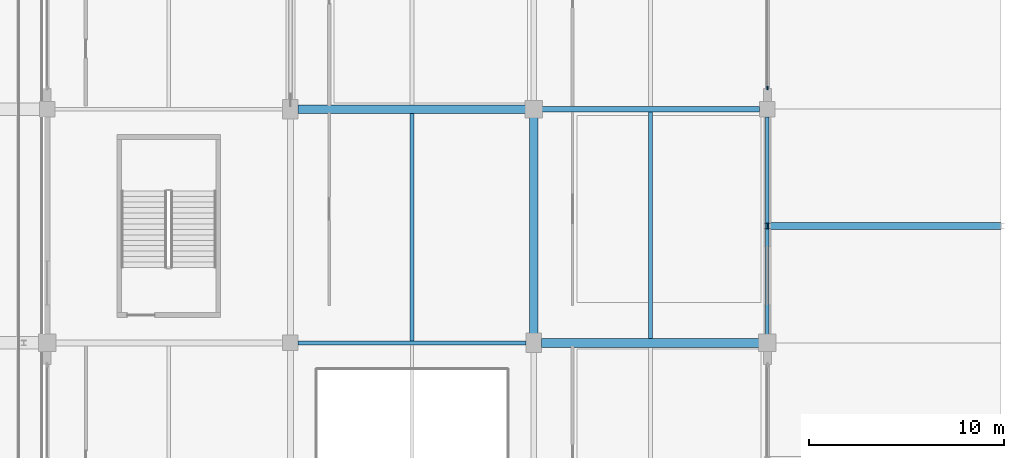
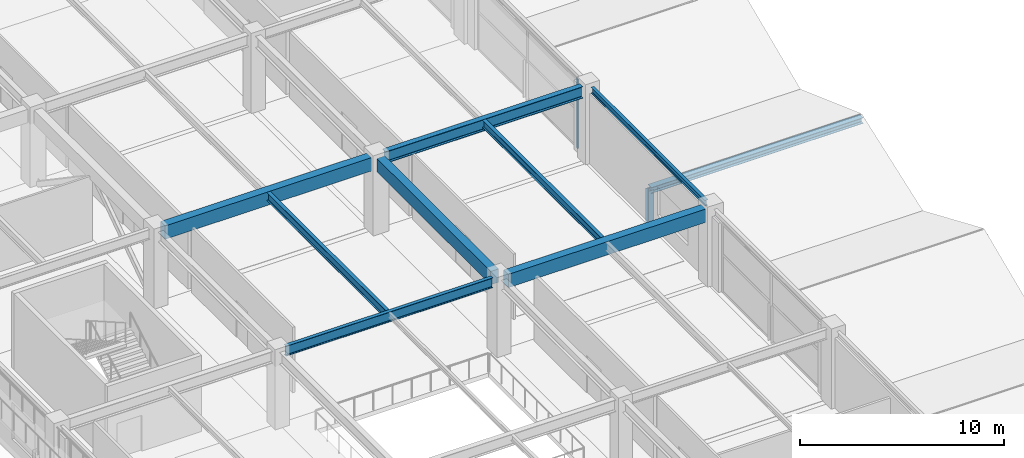
# One storey, part 48 of 134: 8 beams, 3 members, 1 element without a shape of its own.
"""IFC4 building model written with IfcOpenShell, lengths in metres."""

from ifc_helpers import new_model, si_unit, direction, frame, origin, origin_2d, place, context, subcontext, project, spatial, rectangle, i_section, extrude, material, layer, layer_set, material_profile, profile_set, type_object, element, aggregate, save


model = new_model("IFC4")

# Units and contexts
model_context = context("Model", 3, precision=1e-05, world=origin(), true_north=direction((0.0, 1.0)))
body_context = subcontext(model_context, "Body", "Model", "MODEL_VIEW")
ifc_project = project(units=[si_unit("LENGTHUNIT", "METRE"), si_unit("AREAUNIT", "SQUARE_METRE"), si_unit("VOLUMEUNIT", "CUBIC_METRE"), si_unit("PLANEANGLEUNIT", "RADIAN"), si_unit("MASSUNIT", "GRAM", prefix="KILO")], contexts=[model_context])

# Site, building, storey
site_placement = place(None, origin())
site = spatial("IfcSite", under=ifc_project, at=site_placement, CompositionType="ELEMENT")
building_placement = place(site_placement, origin())
building = spatial("IfcBuilding", under=site, at=building_placement, Name="Kazenohara Klinker Stadium", CompositionType="ELEMENT")
storey_placement = place(building_placement, frame((0.0, 0.0, 5.39990234375)))
storey = spatial("IfcBuildingStorey", under=building, at=storey_placement, Name="L01", CompositionType="ELEMENT", Elevation=5.39990234375)

# Beams
ifc_material_1 = material(Name="Steel S355", Category="steel")
ifc_material_profile_1 = material_profile(ifc_material_1, i_section(OverallWidth=0.199951171875, OverallDepth=0.5, WebThickness=0.010009765625, FlangeThickness=0.01611328125, FilletRadius=0.012939453125, at=origin_2d()), Name="H-500x200x10x16")
ifc_profile_set_1 = profile_set([ifc_material_profile_1], Name="Steel S355")
beam_type_1 = type_object("IfcBeamType", Name="BM-JST01", PredefinedType="JOIST", material=ifc_profile_set_1)
beam_1_placement = place(storey_placement, frame((193.75, 96.10009765625, 4.300048828125), z_axis=(0.0, 1.0, 0.0), x_axis=(-1.0, 0.0, 0.0)))
element("IfcBeam", 1, at=beam_1_placement, inside=storey, type_object=beam_type_1, Name="Secondary floor joist SJ01 L01 16/J", PredefinedType="JOIST", context=body_context, shape_type="SweptSolid", body=[
    extrude(i_section(OverallWidth=0.199951171875, OverallDepth=0.5, WebThickness=0.010009765625, FlangeThickness=0.01611328125, FilletRadius=0.012939453125, at=origin_2d()), origin(), (0.0, 0.0, 1.0), 11.6748046875),
])
ifc_material_profile_2 = material_profile(ifc_material_1, i_section(OverallWidth=0.199951171875, OverallDepth=0.449951171875, WebThickness=0.009033203125, FlangeThickness=0.013916015625, FilletRadius=0.012939453125, at=origin_2d()), Name="H-450x200x9x14")
ifc_profile_set_2 = profile_set([ifc_material_profile_2], Name="Steel S355")
beam_type_2 = type_object("IfcBeamType", Name="BM-JST02", PredefinedType="JOIST", material=ifc_profile_set_2)
beam_2_placement = place(storey_placement, frame((206.0, 96.22509765625, 4.3251953125), z_axis=(0.0, 1.0, 0.0), x_axis=(-1.0, 0.0, 0.0)))
element("IfcBeam", 2, at=beam_2_placement, inside=storey, type_object=beam_type_2, Name="Secondary floor joist SJ02 L01 17/J", PredefinedType="JOIST", context=body_context, shape_type="SweptSolid", body=[
    extrude(i_section(OverallWidth=0.199951171875, OverallDepth=0.449951171875, WebThickness=0.009033203125, FlangeThickness=0.013916015625, FilletRadius=0.012939453125, at=origin_2d()), origin(), (0.0, 0.0, 1.0), 11.625),
])
ifc_material_2 = material(Name="Concrete C40/50", Category="concrete")
ifc_material_profile_3 = material_profile(ifc_material_2, rectangle(XDim=0.449951171875, YDim=0.800048828125, at=origin_2d()), Name="RC-BM-450x800")
ifc_profile_set_3 = profile_set([ifc_material_profile_3], Name="Concrete C40/50")
beam_type_3 = type_object("IfcBeamType", Name="BM-RC03", PredefinedType="BEAM", material=ifc_profile_set_3)
beam_3_placement = place(storey_placement, frame((187.89990234375, 108.0, 4.150146484375), z_axis=(1.0, 0.0, 0.0), x_axis=(0.0, 1.0, 0.0)))
element("IfcBeam", 3, at=beam_3_placement, inside=storey, type_object=beam_type_3, Name="Primary girder BG03 L01 16-17/K", PredefinedType="BEAM", context=body_context, shape_type="SweptSolid", body=[
    extrude(rectangle(XDim=0.449951171875, YDim=0.800048828125, at=origin_2d()), origin(), (0.0, 0.0, 1.0), 11.68017578125),
])
beam_4_placement = place(storey_placement, frame((200.39990234375, 96.0, 4.150146484375), z_axis=(1.0, 0.0, 0.0), x_axis=(0.0, 1.0, 0.0)))
element("IfcBeam", 4, at=beam_4_placement, inside=storey, type_object=beam_type_3, Name="Primary girder BG03 L01 17-18/J", PredefinedType="BEAM", context=body_context, shape_type="SweptSolid", body=[
    extrude(rectangle(XDim=0.449951171875, YDim=0.800048828125, at=origin_2d()), origin(), (0.0, 0.0, 1.0), 11.18017578125),
])
beam_5_placement = place(storey_placement, frame((200.0, 96.419921875, 4.150146484375), z_axis=(0.0, 1.0, 0.0), x_axis=(-1.0, 0.0, 0.0)))
element("IfcBeam", 5, at=beam_5_placement, inside=storey, type_object=beam_type_3, Name="Primary girder BG03 L01 17/J-K", PredefinedType="BEAM", context=body_context, shape_type="SweptSolid", body=[
    extrude(rectangle(XDim=0.449951171875, YDim=0.800048828125, at=origin_2d()), origin(), (0.0, 0.0, 1.0), 11.16015625),
])
ifc_material_profile_4 = material_profile(ifc_material_1, i_section(OverallWidth=0.175048828125, OverallDepth=0.35009765625, WebThickness=0.007080078125, FlangeThickness=0.010986328125, FilletRadius=0.012939453125, at=origin_2d()), Name="H-350x175x7x11")
ifc_profile_set_4 = profile_set([ifc_material_profile_4], Name="Steel S355")
beam_type_4 = type_object("IfcBeamType", Name="BM-SPD02", PredefinedType="SPANDREL", material=ifc_profile_set_4)
beam_6_placement = place(storey_placement, frame((212.0, 96.419921875, 4.375), z_axis=(0.0, 1.0, 0.0), x_axis=(-1.0, 0.0, 0.0)))
element("IfcBeam", 6, at=beam_6_placement, inside=storey, type_object=beam_type_4, Name="Primary girder SP02 L01 18/J-K", PredefinedType="SPANDREL", context=body_context, shape_type="SweptSolid", body=[
    extrude(i_section(OverallWidth=0.175048828125, OverallDepth=0.35009765625, WebThickness=0.007080078125, FlangeThickness=0.010986328125, FilletRadius=0.012939453125, at=origin_2d()), origin(), (0.0, 0.0, 1.0), 11.18017578125),
])
ifc_material_profile_5 = material_profile(ifc_material_1, i_section(OverallWidth=0.300048828125, OverallDepth=0.699951171875, WebThickness=0.012939453125, FlangeThickness=0.02392578125, FilletRadius=0.02197265625, at=origin_2d()), Name="H-700x300x13x24")
ifc_profile_set_5 = profile_set([ifc_material_profile_5], Name="Steel S355")
beam_type_5 = type_object("IfcBeamType", Name="BM-ST03", PredefinedType="BEAM", material=ifc_profile_set_5)
beam_7_placement = place(storey_placement, frame((200.419921875, 108.0, 4.2001953125), z_axis=(1.0, 0.0, 0.0), x_axis=(0.0, 1.0, 0.0)))
element("IfcBeam", 7, at=beam_7_placement, inside=storey, type_object=beam_type_5, Name="Primary girder SB03 L01 17-18/K", PredefinedType="BEAM", context=body_context, shape_type="SweptSolid", body=[
    extrude(i_section(OverallWidth=0.300048828125, OverallDepth=0.699951171875, WebThickness=0.012939453125, FlangeThickness=0.02392578125, FilletRadius=0.02197265625, at=origin_2d()), origin(), (0.0, 0.0, 1.0), 11.18017578125),
])
ifc_material_profile_6 = material_profile(ifc_material_1, i_section(OverallWidth=0.199951171875, OverallDepth=0.60009765625, WebThickness=0.010986328125, FlangeThickness=0.01708984375, FilletRadius=0.012939453125, at=origin_2d()), Name="H-600x200x11x17")
ifc_profile_set_6 = profile_set([ifc_material_profile_6], Name="Steel S355")
beam_type_6 = type_object("IfcBeamType", Name="BM-ST04", PredefinedType="BEAM", material=ifc_profile_set_6)
beam_8_placement = place(storey_placement, frame((187.89990234375, 96.0, 4.25), z_axis=(1.0, 0.0, 0.0), x_axis=(0.0, 1.0, 0.0)))
element("IfcBeam", 8, at=beam_8_placement, inside=storey, type_object=beam_type_6, Name="Primary girder SB04 L01 16-17/J", PredefinedType="BEAM", context=body_context, shape_type="SweptSolid", body=[
    extrude(i_section(OverallWidth=0.199951171875, OverallDepth=0.60009765625, WebThickness=0.010986328125, FlangeThickness=0.01708984375, FilletRadius=0.012939453125, at=origin_2d()), origin(), (0.0, 0.0, 1.0), 11.7001953125),
])

# Curtain wall, member
ifc_material_3 = material(Name="Anodised aluminium and triple glazing", Category="aluminium")
ifc_layer = layer(ifc_material_3, 0.18994140625)
ifc_layer_set = layer_set([ifc_layer], Name="Anodised aluminium and triple glazing")
curtain_wall_type = type_object("IfcCurtainWallType", Name="CW-SYS-05", PredefinedType="USERDEFINED", material=ifc_layer_set)
curtain_wall_placement = place(storey_placement, origin())
curtain_wall = element("IfcCurtainWall", 9, at=curtain_wall_placement, inside=storey, type_object=curtain_wall_type, Name="Unitised facade curtain wall CW05 L01 Y17-9", ObjectType="UNITISED CURTAIN WALL", PredefinedType="USERDEFINED")
ifc_material_4 = material(Name="Anodised aluminium 6063-T6", Category="aluminium")
ifc_material_profile_7 = material_profile(ifc_material_4, rectangle(XDim=0.06494140625, YDim=0.179931640625, at=origin_2d()), Name="ALU-MUL-65x180")
ifc_profile_set_7 = profile_set([ifc_material_profile_7], Name="Anodised aluminium 6063-T6")
member_type_1 = type_object("IfcMemberType", Name="CW-MUL-180", PredefinedType="MULLION", material=ifc_profile_set_7)
member_1_placement = place(storey_placement, frame((212.0, 109.08642578125, 0.0), z_axis=(0.0, 0.0, 1.0), x_axis=(-1.0, 0.0, 0.0)))
member_1 = element("IfcMember", 10, at=member_1_placement, type_object=member_type_1, Name="CW05 mullion 1", PredefinedType="MULLION", context=body_context, shape_type="SweptSolid", body=[
    extrude(rectangle(XDim=0.06494140625, YDim=0.179931640625, at=origin_2d()), origin(), (0.0, 0.0, 1.0), 4.150146484375),
])
aggregate(curtain_wall, [member_1])

# Members
ifc_material_profile_8 = material_profile(ifc_material_1, i_section(OverallWidth=0.35009765625, OverallDepth=0.35009765625, WebThickness=0.011962890625, FlangeThickness=0.01904296875, FilletRadius=0.012939453125, at=origin_2d()), Name="H-350x350x12x19")
ifc_profile_set_8 = profile_set([ifc_material_profile_8], Name="Steel S355")
member_type_2 = type_object("IfcMemberType", Name="MEM-CHD02", PredefinedType="CHORD", material=ifc_profile_set_8)
member_2_placement = place(storey_placement, frame((212.0, 102.0, 1.830078125), z_axis=(1.0, 0.0, 0.0), x_axis=(0.0, 1.0, 0.0)))
element("IfcMember", 11, at=member_2_placement, inside=storey, type_object=member_type_2, Name="Stepped pavilion gable ridge beam L01 18/J", PredefinedType="CHORD", context=body_context, shape_type="SweptSolid", body=[
    extrude(i_section(OverallWidth=0.35009765625, OverallDepth=0.35009765625, WebThickness=0.011962890625, FlangeThickness=0.01904296875, FilletRadius=0.012939453125, at=origin_2d()), origin(), (0.0, 0.0, 1.0), 12.0),
])
ifc_material_profile_9 = material_profile(ifc_material_1, i_section(OverallWidth=0.300048828125, OverallDepth=0.300048828125, WebThickness=0.010009765625, FlangeThickness=0.014892578125, FilletRadius=0.012939453125, at=origin_2d()), Name="H-300x300x10x15")
ifc_profile_set_9 = profile_set([ifc_material_profile_9], Name="Steel S355")
member_type_3 = type_object("IfcMemberType", Name="MEM-STR01", PredefinedType="STRUT", material=ifc_profile_set_9)
member_3_placement = place(storey_placement, frame((212.0, 102.0, -0.429931640625), z_axis=(0.0, 0.0, 1.0), x_axis=(1.0, 0.0, 0.0)))
element("IfcMember", 12, at=member_3_placement, inside=storey, type_object=member_type_3, Name="Stepped pavilion gable king-post L01 18/J W", PredefinedType="STRUT", context=body_context, shape_type="SweptSolid", body=[
    extrude(i_section(OverallWidth=0.300048828125, OverallDepth=0.300048828125, WebThickness=0.010009765625, FlangeThickness=0.014892578125, FilletRadius=0.012939453125, at=origin_2d()), origin(), (0.0, 0.0, 1.0), 2.260009765625),
])

save(model, "model.ifc")
